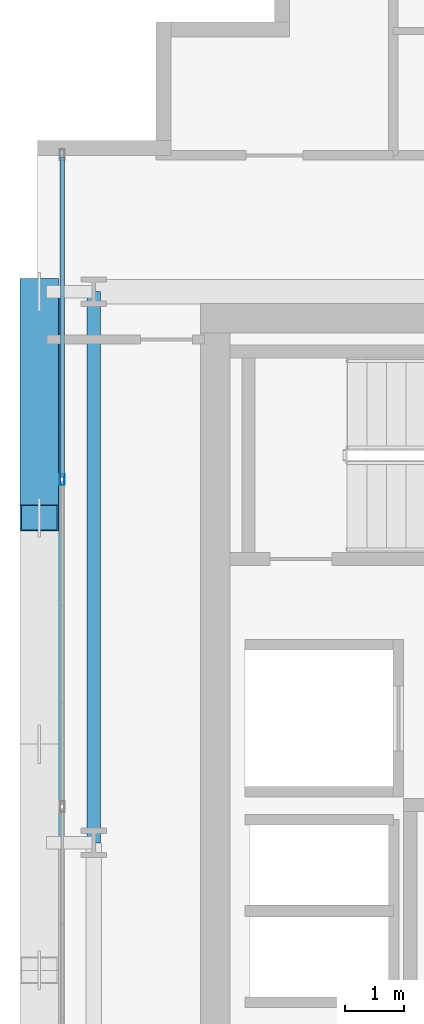
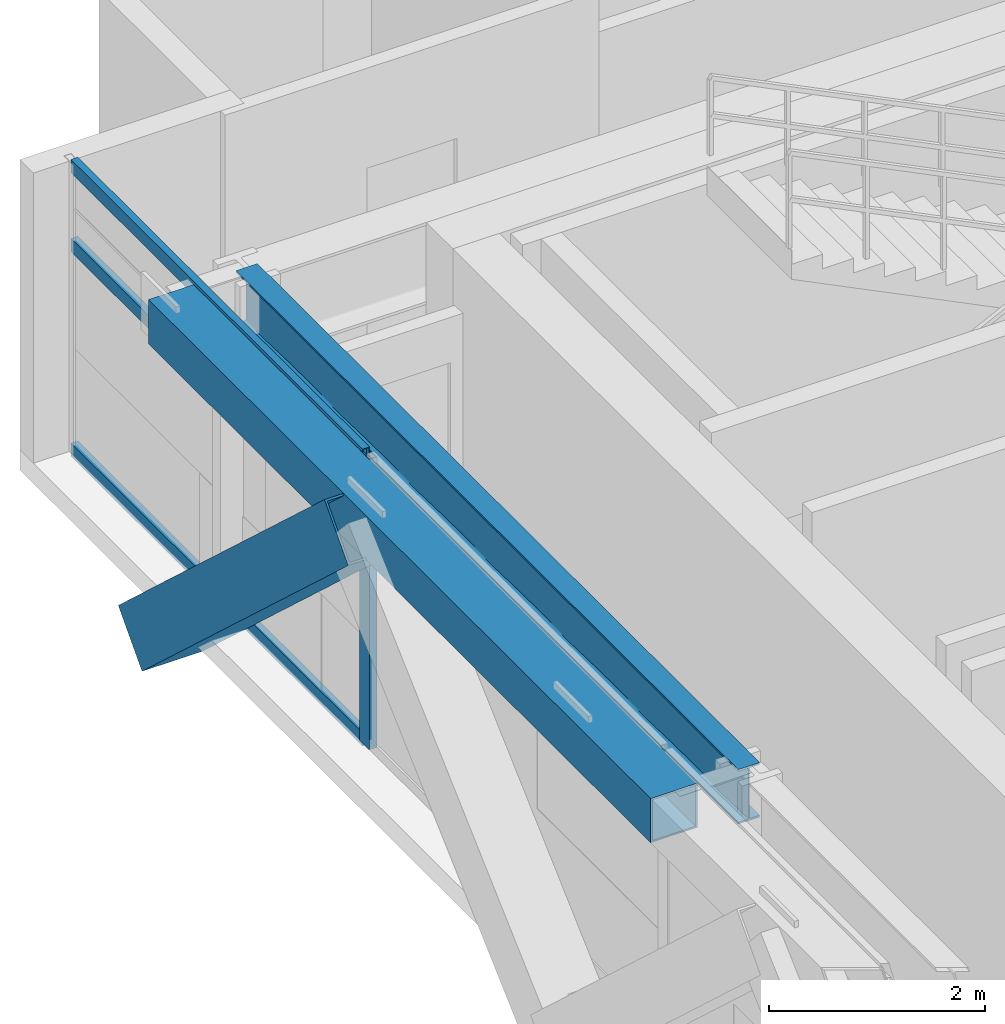
# One storey, part 8 of 32: 5 members, 2 beams, 1 element without a shape of its own.
"""IFC4 building model written with IfcOpenShell, lengths in metres."""

from ifc_helpers import new_model, si_unit, direction, frame, origin, origin_2d, place, context, subcontext, project, spatial, hollow_rectangle, i_section, extrude, source, transform, mapped, material, layer, layer_set, material_profile, profile_set, type_object, element, aggregate, save


model = new_model("IFC4")

# Units and contexts
model_context = context("Model", 3, precision=1e-05, world=origin(), true_north=direction((0.0, 1.0)))
body_context = subcontext(model_context, "Body", "Model", "MODEL_VIEW")
ifc_project = project(units=[si_unit("LENGTHUNIT", "METRE"), si_unit("AREAUNIT", "SQUARE_METRE"), si_unit("VOLUMEUNIT", "CUBIC_METRE"), si_unit("PLANEANGLEUNIT", "RADIAN"), si_unit("MASSUNIT", "GRAM", prefix="KILO")], contexts=[model_context])

# Site, building, storey
site_placement = place(None, origin())
site = spatial("IfcSite", under=ifc_project, at=site_placement, CompositionType="ELEMENT")
building_placement = place(site_placement, origin())
building = spatial("IfcBuilding", under=site, at=building_placement, Name="Ocotamira Hotel", CompositionType="ELEMENT")
storey_placement = place(building_placement, frame((0.0, 0.0, 217.199951171875)))
storey = spatial("IfcBuildingStorey", under=building, at=storey_placement, Name="L55", CompositionType="ELEMENT", Elevation=217.199951171875)

# Beams
ifc_material_1 = material(Name="Steel ASTM A992 Grade 50", Category="steel")
ifc_material_profile_1 = material_profile(ifc_material_1, i_section(OverallWidth=0.22998046875, OverallDepth=0.616943359375, WebThickness=0.01318359375, FlangeThickness=0.022216796875, FilletRadius=0.012939453125, at=origin_2d()), Name="W24X94")
ifc_profile_set_1 = profile_set([ifc_material_profile_1], Name="Steel ASTM A992 Grade 50")
beam_type_1 = type_object("IfcBeamType", Name="BM-PRIM-W24X94", PredefinedType="BEAM", material=ifc_profile_set_1)
shared_shape_1 = source(origin(), body_context, "Body", "SweptSolid", [
    extrude(i_section(OverallWidth=0.22998046875, OverallDepth=0.616943359375, WebThickness=0.01318359375, FlangeThickness=0.022216796875, FilletRadius=0.012939453125, at=origin_2d()), origin(), (0.0, 0.0, 1.0), 9.300048828125),
])
beam_1_placement = place(storey_placement, frame((8.949951171875, 28.14990234375, 2.971435546875), z_axis=(0.0, 1.0, 0.0), x_axis=(-1.0, 0.0, 0.0)))
element("IfcBeam", 1, at=beam_1_placement, inside=storey, type_object=beam_type_1, Name="L55 Beam X8.95 Y28.15-37.45", PredefinedType="BEAM", context=body_context, shape_type="MappedRepresentation", body=[
    mapped(shared_shape_1, transform((0.0, 0.0, 0.0), scale=1.0)),
])
ifc_material_2 = material(Name="Steel ASTM A500 Grade C", Category="steel")
ifc_material_profile_2 = material_profile(ifc_material_2, hollow_rectangle(XDim=0.5, YDim=0.5, WallThickness=0.02001953125, at=origin_2d()), Name="HSS500X500X20")
ifc_profile_set_2 = profile_set([ifc_material_profile_2], Name="Steel ASTM A500 Grade C")
beam_type_2 = type_object("IfcBeamType", Name="BM-SPAN-HSS500", PredefinedType="USERDEFINED", material=ifc_profile_set_2)
shared_shape_2 = source(origin(), body_context, "Body", "SweptSolid", [
    extrude(hollow_rectangle(XDim=0.5, YDim=0.5, WallThickness=0.02001953125, at=origin_2d()), origin(), (0.0, 0.0, 1.0), 9.300048828125),
])
beam_2_placement = place(storey_placement, frame((8.14990234375, 28.14990234375, 3.030029296875), z_axis=(0.0, 1.0, 0.0), x_axis=(-1.0, 0.0, 0.0)))
element("IfcBeam", 2, at=beam_2_placement, inside=storey, type_object=beam_type_2, Name="L55 Edge Spandrel W Y28.15-37.45", ObjectType="SPANDREL", PredefinedType="USERDEFINED", context=body_context, shape_type="MappedRepresentation", body=[
    mapped(shared_shape_2, transform((0.0, 0.0, 0.0), scale=1.0)),
])

# Member
ifc_material_3 = material(Name="Pale-metal coated steel ASTM A913 Grade 65", Category="steel")
ifc_material_profile_3 = material_profile(ifc_material_3, hollow_rectangle(XDim=0.64990234375, YDim=0.64990234375, WallThickness=0.02197265625, at=origin_2d()), Name="BOX650X650X22")
ifc_profile_set_3 = profile_set([ifc_material_profile_3], Name="Pale-metal coated steel ASTM A913 Grade 65")
member_type_1 = type_object("IfcMemberType", Name="MEM-EXO-BOX650", PredefinedType="BRACE", material=ifc_profile_set_3)
shared_shape_3 = source(origin(), body_context, "Body", "SweptSolid", [
    extrude(hollow_rectangle(XDim=0.64990234375, YDim=0.64990234375, WallThickness=0.02197265625, at=origin_2d()), origin(), (0.0, 0.0, 1.0), 5.185302734375),
])
member_1_placement = place(storey_placement, frame((8.030029296875, 37.449951171875, -0.47998046875), z_axis=(0.0, -0.736056745537, 0.6769198382), x_axis=(1.0, 0.0, 0.0)))
element("IfcMember", 3, at=member_1_placement, inside=storey, type_object=member_type_1, Name="L55 Exoskeleton Diagrid W2.2", PredefinedType="BRACE", context=body_context, shape_type="MappedRepresentation", body=[
    mapped(shared_shape_3, transform((0.0, 0.0, 0.0), scale=1.0)),
])

# Curtain wall, members
ifc_material_4 = material(Name="Anodised pale-metal aluminium and solar glass", Category="aluminium")
ifc_layer = layer(ifc_material_4, 0.199951171875)
ifc_layer_set = layer_set([ifc_layer], Name="Anodised pale-metal aluminium and solar glass")
curtain_wall_type = type_object("IfcCurtainWallType", Name="CW-SYS4-Z3", PredefinedType="NOTDEFINED", material=ifc_layer_set)
curtain_wall_placement = place(storey_placement, origin())
curtain_wall = element("IfcCurtainWall", 4, at=curtain_wall_placement, inside=storey, type_object=curtain_wall_type, Name="L55 Curtain Wall CW-4 CW-L55-W", PredefinedType="NOTDEFINED")
ifc_material_5 = material(Name="Anodised pale-metal aluminium 6063-T6", Category="aluminium")
ifc_material_profile_4 = material_profile(ifc_material_5, hollow_rectangle(XDim=0.074951171875, YDim=0.14990234375, WallThickness=0.006103515625, at=origin_2d()), Name="HSS150X75X6")
ifc_profile_set_4 = profile_set([ifc_material_profile_4], Name="Anodised pale-metal aluminium 6063-T6")
member_type_2 = type_object("IfcMemberType", Name="CWT-150X75", PredefinedType="USERDEFINED", material=ifc_profile_set_4)
shared_shape_4 = source(origin(), body_context, "Body", "SweptSolid", [
    extrude(hollow_rectangle(XDim=0.074951171875, YDim=0.14990234375, WallThickness=0.006103515625, at=origin_2d()), origin(), (0.0, 0.0, 1.0), 5.39990234375),
])
member_2_placement = place(storey_placement, frame((8.419921875, 34.320068359375, 0.03759765625), z_axis=(0.0, 1.0, 0.0), x_axis=(-1.0, 0.0, 0.0)))
member_2 = element("IfcMember", 5, at=member_2_placement, type_object=member_type_2, Name="CW-4 transom 5.1", ObjectType="TRANSOM", PredefinedType="USERDEFINED", context=body_context, shape_type="MappedRepresentation", body=[
    mapped(shared_shape_4, transform((0.0, 0.0, 0.0), scale=1.0)),
])
member_3_placement = place(storey_placement, frame((8.419921875, 34.320068359375, 2.35009765625), z_axis=(0.0, 1.0, 0.0), x_axis=(-1.0, 0.0, 0.0)))
member_3 = element("IfcMember", 6, at=member_3_placement, type_object=member_type_2, Name="CW-4 transom 5.2", ObjectType="TRANSOM", PredefinedType="USERDEFINED", context=body_context, shape_type="MappedRepresentation", body=[
    mapped(shared_shape_4, transform((0.0, 0.0, 0.0), scale=1.0)),
])
member_4_placement = place(storey_placement, frame((8.419921875, 34.320068359375, 3.242431640625), z_axis=(0.0, 1.0, 0.0), x_axis=(-1.0, 0.0, 0.0)))
member_4 = element("IfcMember", 7, at=member_4_placement, type_object=member_type_2, Name="CW-4 transom 5.3", ObjectType="TRANSOM", PredefinedType="USERDEFINED", context=body_context, shape_type="MappedRepresentation", body=[
    mapped(shared_shape_4, transform((0.0, 0.0, 0.0), scale=1.0)),
])
ifc_material_profile_5 = material_profile(ifc_material_5, hollow_rectangle(XDim=0.080078125, YDim=0.179931640625, WallThickness=0.006103515625, at=origin_2d()), Name="HSS180X80X6")
ifc_profile_set_5 = profile_set([ifc_material_profile_5], Name="Anodised pale-metal aluminium 6063-T6")
member_type_3 = type_object("IfcMemberType", Name="CWM-180X75", PredefinedType="MULLION", material=ifc_profile_set_5)
shared_shape_5 = source(origin(), body_context, "Body", "SweptSolid", [
    extrude(hollow_rectangle(XDim=0.080078125, YDim=0.179931640625, WallThickness=0.006103515625, at=origin_2d()), origin(), (0.0, 0.0, 1.0), 3.280029296875),
])
member_5_placement = place(storey_placement, frame((8.419921875, 34.280029296875, 0.0), z_axis=(0.0, 0.0, 1.0), x_axis=(-1.0, 0.0, 0.0)))
member_5 = element("IfcMember", 8, at=member_5_placement, type_object=member_type_3, Name="CW-4 mullion 5", PredefinedType="MULLION", context=body_context, shape_type="MappedRepresentation", body=[
    mapped(shared_shape_5, transform((0.0, 0.0, 0.0), scale=1.0)),
])
aggregate(curtain_wall, [member_5, member_2, member_3, member_4])

save(model, "model.ifc")
